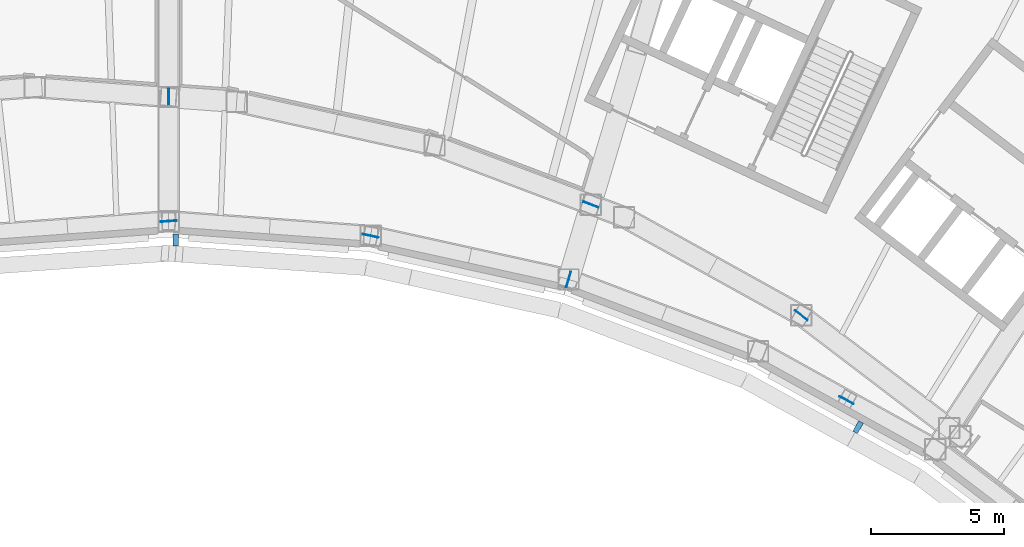
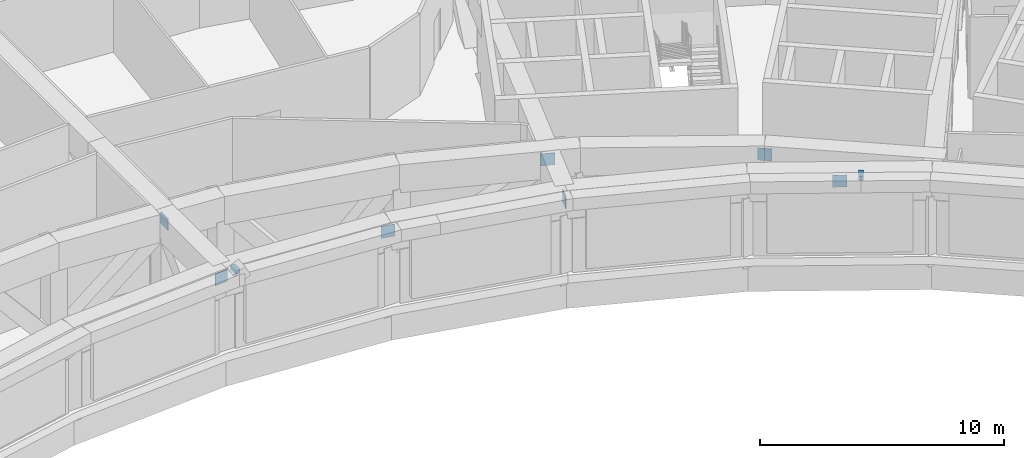
# One storey, part 17 of 24: 9 discrete accessories.
"""IFC4 building model written with IfcOpenShell, lengths in metres."""

from ifc_helpers import new_model, si_unit, direction, frame, origin, origin_2d, place, context, subcontext, project, spatial, rectangle, extrude, material, type_object, element, save


model = new_model("IFC4")

# Units and contexts
model_context = context("Model", 3, precision=1e-05, world=origin(), true_north=direction((0.0, 1.0)))
body_context = subcontext(model_context, "Body", "Model", "MODEL_VIEW")
ifc_project = project(units=[si_unit("LENGTHUNIT", "METRE"), si_unit("AREAUNIT", "SQUARE_METRE"), si_unit("VOLUMEUNIT", "CUBIC_METRE"), si_unit("PLANEANGLEUNIT", "RADIAN"), si_unit("MASSUNIT", "GRAM", prefix="KILO")], contexts=[model_context])

# Site, building, storey
site_placement = place(None, origin())
site = spatial("IfcSite", under=ifc_project, at=site_placement, CompositionType="ELEMENT")
building_placement = place(site_placement, origin())
building = spatial("IfcBuilding", under=site, at=building_placement, Name="Tuul Gate Civic Tower", CompositionType="ELEMENT")
storey_placement = place(building_placement, frame((0.0, 0.0, 94.800048828125)))
storey = spatial("IfcBuildingStorey", under=building, at=storey_placement, Name="Plant and refuge floor 3", CompositionType="ELEMENT", Elevation=94.800048828125)

# Discrete accessories
ifc_material_1 = material(Name="Steel S355", Category="steel")
discrete_accessory_type_1 = type_object("IfcDiscreteAccessoryType", Name="Gusset plate", PredefinedType="BRACKET", material=ifc_material_1)
for number, where, z_axis, x_axis, name in (
    (1, (9.82958984375, -3.01318359375, 3.103759765625), (0.0, 0.0, 1.0), (0.0, 1.0, 0.0), "Gusset plate"),
    (2, (24.815185546875, -9.852783203125, 3.10400390625), (0.0, 0.0, 1.0), (0.285169103875, 0.958477220488, 0.0), "Gusset plate"),
    (3, (35.235107421875, -14.37744140625, 3.103759765625), (0.0, 0.0, 1.0), (-0.874598044765, 0.484848698146, 0.0), "Gusset plate"),
    (4, (25.651123046875, -7.04638671875, 3.103759765625), (0.0, 0.0, 1.0), (-0.935323959352, 0.353792440652, 0.0), "Gusset plate"),
    (5, (17.401123046875, -8.2177734375, 3.103759765625), (0.0, 0.0, 1.0), (0.97656368755, -0.215228632292, 0.0), "Gusset plate"),
    (6, (9.8291015625, -7.668701171875, 3.103759765625), (0.0, 0.0, 1.0), (-0.997381904937, -0.07231414595, 0.0), "Gusset plate"),
    (7, (33.53466796875, -11.196533203125, 3.103271484375), (0.0, 0.0, 1.0), (0.795616135693, -0.605801093284, 0.0), "Gusset plate"),
):
    element("IfcDiscreteAccessory", number, at=place(storey_placement, frame(where, z_axis=z_axis, x_axis=x_axis)), inside=storey, type_object=discrete_accessory_type_1, Name=name, PredefinedType="BRACKET", context=body_context, shape_type="SweptSolid", body=[
        extrude(rectangle(XDim=0.60009765625, YDim=0.030029296875, at=origin_2d()), origin(), (0.0, 0.0, 1.0), 0.60009765625),
    ])
ifc_material_2 = material(Name="Stainless steel", Category="steel")
discrete_accessory_type_2 = type_object("IfcDiscreteAccessoryType", Name="Screen bracket", PredefinedType="BRACKET", material=ifc_material_2)
discrete_accessory_1_placement = place(storey_placement, frame((10.093994140625, -8.36572265625, 4.0498046875), z_axis=(0.0, 0.0, 1.0), x_axis=(-0.005110301807, -0.999986942322, 0.0)))
element("IfcDiscreteAccessory", 8, at=discrete_accessory_1_placement, inside=storey, type_object=discrete_accessory_type_2, Name="Screen bracket 25", PredefinedType="BRACKET", context=body_context, shape_type="SweptSolid", body=[
    extrude(rectangle(XDim=0.450927734375, YDim=0.199951171875, at=origin_2d()), origin(), (0.0, 0.0, 1.0), 0.199951171875),
])
discrete_accessory_2_placement = place(storey_placement, frame((35.6650390625, -15.38671875, 4.0498046875), z_axis=(0.0, 0.0, 1.0), x_axis=(-0.499380157255, -0.866382974521, 0.0)))
element("IfcDiscreteAccessory", 9, at=discrete_accessory_2_placement, inside=storey, type_object=discrete_accessory_type_2, Name="Screen bracket 28", PredefinedType="BRACKET", context=body_context, shape_type="SweptSolid", body=[
    extrude(rectangle(XDim=0.4501953125, YDim=0.199951171875, at=origin_2d()), origin(), (0.0, 0.0, 1.0), 0.199951171875),
])

save(model, "model.ifc")
